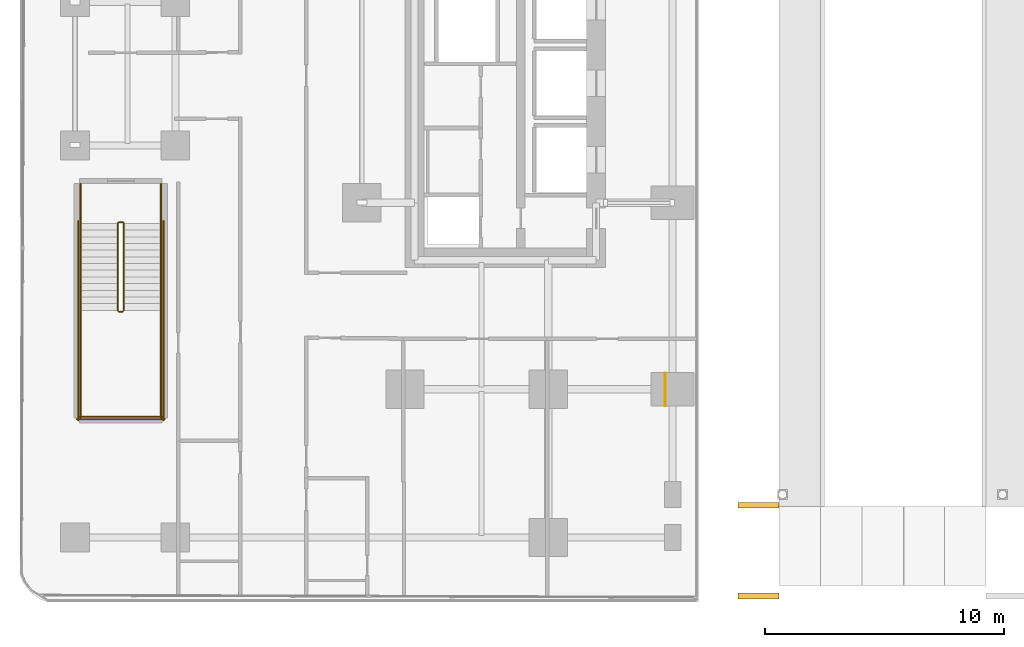
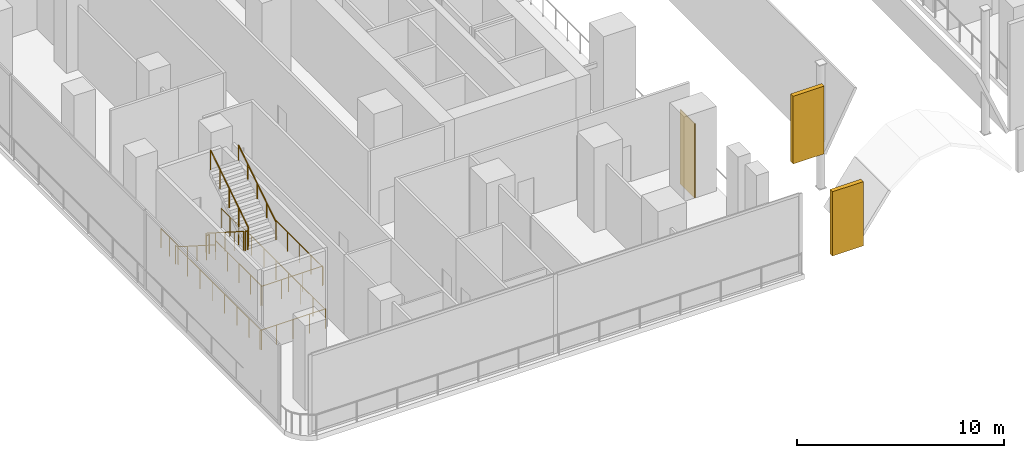
# One storey, part 21 of 31: 14 railings, 3 coverings.
"""IFC4 building model written with IfcOpenShell, lengths in metres."""

from ifc_helpers import new_model, si_unit, direction, frame, origin, origin_2d, place, context, subcontext, project, spatial, rectangle, circle, extrude, material, layer, layer_set, type_object, element, save


model = new_model("IFC4")

# Units and contexts
model_context = context("Model", 3, precision=1e-05, world=origin(), true_north=direction((0.0, 1.0)))
body_context = subcontext(model_context, "Body", "Model", "MODEL_VIEW")
ifc_project = project(units=[si_unit("LENGTHUNIT", "METRE"), si_unit("AREAUNIT", "SQUARE_METRE"), si_unit("VOLUMEUNIT", "CUBIC_METRE"), si_unit("PLANEANGLEUNIT", "RADIAN"), si_unit("MASSUNIT", "GRAM", prefix="KILO")], contexts=[model_context])

# Site, building, storey
site_placement = place(None, origin())
site = spatial("IfcSite", under=ifc_project, at=site_placement, CompositionType="ELEMENT")
building_placement = place(site_placement, origin())
building = spatial("IfcBuilding", under=site, at=building_placement, Name="Khairoan Windgate Tower", CompositionType="ELEMENT")
storey_placement = place(building_placement, frame((0.0, 0.0, 11.0)))
storey = spatial("IfcBuildingStorey", under=building, at=storey_placement, Name="L03", CompositionType="ELEMENT", Elevation=11.0)

# Coverings
ifc_material_1 = material(Name="Anodised Bronze Aluminium 6063-T6", Category="aluminium")
ifc_layer_1 = layer(ifc_material_1, 0.0400390625, Name="Anodised Bronze Aluminium 6063-T6")
ifc_layer_set_1 = layer_set([ifc_layer_1], Name="Anodised Bronze Aluminium 6063-T6")
covering_type_1 = type_object("IfcCoveringType", Name="Anodised Bronze Arch Pier Cladding", PredefinedType="CLADDING", material=ifc_layer_set_1)
covering_1_placement = place(storey_placement, frame((-9.5, -18.60009765625, 0.0), z_axis=(0.0, 0.0, 1.0), x_axis=(1.0, 0.0, 0.0)))
element("IfcCovering", 1, at=covering_1_placement, inside=storey, type_object=covering_type_1, Name="L03 Arch Pier Bronze Cladding 01", PredefinedType="CLADDING", context=body_context, shape_type="SweptSolid", body=[
    extrude(rectangle(XDim=0.0400390625, YDim=1.39990234375, at=origin_2d()), origin(), (0.0, 0.0, 1.0), 4.39990234375),
])
ifc_material_2 = material(Name="Anodised Bronze Aluminium 6063-T6", Category="aluminium")
ifc_layer_2 = layer(ifc_material_2, 0.179931640625, Name="Anodised Bronze Aluminium 6063-T6")
ifc_layer_set_2 = layer_set([ifc_layer_2], Name="Anodised Bronze Aluminium 6063-T6")
covering_type_2 = type_object("IfcCoveringType", Name="Sculpted Parabolic Arch and Crown Cladding", PredefinedType="CLADDING", material=ifc_layer_set_2)
covering_2_placement = place(storey_placement, frame((-5.60498046875, -23.449951171875, 3.53662109375), z_axis=(0.0, 0.0, 1.0), x_axis=(1.0, 0.0, 0.0)))
element("IfcCovering", 2, at=covering_2_placement, inside=storey, type_object=covering_type_2, Name="Upper Parabolic Arch Tympanum Cladding S-02", PredefinedType="CLADDING", context=body_context, shape_type="SweptSolid", body=[
    extrude(rectangle(XDim=1.72998046875, YDim=0.239990234375, at=origin_2d()), origin(), (0.0, 0.0, 1.0), 4.0029296875),
])
covering_3_placement = place(storey_placement, frame((-5.60498046875, -27.25, 0.406982421875), z_axis=(0.0, 0.0, 1.0), x_axis=(1.0, 0.0, 0.0)))
element("IfcCovering", 3, at=covering_3_placement, inside=storey, type_object=covering_type_2, Name="Podium Parabolic Arch Tympanum Cladding S-02", PredefinedType="CLADDING", context=body_context, shape_type="SweptSolid", body=[
    extrude(rectangle(XDim=1.72998046875, YDim=0.239990234375, at=origin_2d()), origin(), (0.0, 0.0, 1.0), 3.79296875),
])

# Railings
ifc_material_3 = material(Name="Anodised Bronze Aluminium 6063-T6", Category="aluminium")
railing_type_1 = type_object("IfcRailingType", Name="Stair Wall Handrail SHR-900", PredefinedType="HANDRAIL", material=ifc_material_3)
railing_1_placement = place(storey_placement, frame((-33.969970703125, -11.659912109375, 0.178466796875)))
element("IfcRailing", 4, at=railing_1_placement, inside=storey, type_object=railing_type_1, Name="L03 ST4 stair handrail 1", PredefinedType="HANDRAIL", context=body_context, shape_type="SweptSolid", body=[
    extrude(circle(Radius=0.02392578125, at=origin_2d()), frame((0.0, 0.0, 0.8759765625), z_axis=(0.0, -0.843127859045, 0.537713132908), x_axis=(1.0, 0.0, 0.0)), (0.0, 0.0, 1.0), 4.3173828125),
    extrude(circle(Radius=0.02099609375, at=origin_2d()), origin(), (0.0, 0.0, 1.0), 0.851806640625),
    extrude(circle(Radius=0.02099609375, at=origin_2d()), frame((0.0, -0.91015625, 0.580322265625)), (0.0, 0.0, 1.0), 0.851806640625),
    extrude(circle(Radius=0.02099609375, at=origin_2d()), frame((0.0, -1.820068359375, 1.16064453125)), (0.0, 0.0, 1.0), 0.851806640625),
    extrude(circle(Radius=0.02099609375, at=origin_2d()), frame((0.0, -2.72998046875, 1.7412109375)), (0.0, 0.0, 1.0), 0.851806640625),
    extrude(circle(Radius=0.02099609375, at=origin_2d()), frame((0.0, -3.64013671875, 2.321533203125)), (0.0, 0.0, 1.0), 0.851806640625),
])
railing_2_placement = place(storey_placement, frame((-30.60009765625, -15.300048828125, 2.678466796875)))
element("IfcRailing", 5, at=railing_2_placement, inside=storey, type_object=railing_type_1, Name="L03 ST4 stair handrail 2", PredefinedType="HANDRAIL", context=body_context, shape_type="SweptSolid", body=[
    extrude(circle(Radius=0.02392578125, at=origin_2d()), frame((0.0, 0.0, 0.8759765625), z_axis=(0.0, 0.843127859045, 0.537713132908), x_axis=(-1.0, 0.0, 0.0)), (0.0, 0.0, 1.0), 4.3173828125),
    extrude(circle(Radius=0.02099609375, at=origin_2d()), origin(), (0.0, 0.0, 1.0), 0.851806640625),
    extrude(circle(Radius=0.02099609375, at=origin_2d()), frame((0.0, 0.91015625, 0.580322265625)), (0.0, 0.0, 1.0), 0.851806640625),
    extrude(circle(Radius=0.02099609375, at=origin_2d()), frame((0.0, 1.820068359375, 1.16064453125)), (0.0, 0.0, 1.0), 0.851806640625),
    extrude(circle(Radius=0.02099609375, at=origin_2d()), frame((0.0, 2.72998046875, 1.7412109375)), (0.0, 0.0, 1.0), 0.851806640625),
    extrude(circle(Radius=0.02099609375, at=origin_2d()), frame((0.0, 3.64013671875, 2.321533203125)), (0.0, 0.0, 1.0), 0.851806640625),
])
ifc_material_4 = material(Name="Steel S355", Category="steel")
railing_type_2 = type_object("IfcRailingType", Name="Stairwell Safety Guardrail SGR-1150", PredefinedType="GUARDRAIL", material=ifc_material_4)
railing_3_placement = place(storey_placement, frame((-32.409912109375, -11.659912109375, 0.178466796875)))
element("IfcRailing", 6, at=railing_3_placement, inside=storey, type_object=railing_type_2, Name="L03 ST4 stair guard 1", PredefinedType="GUARDRAIL", context=body_context, shape_type="SweptSolid", body=[
    extrude(circle(Radius=0.02392578125, at=origin_2d()), frame((0.0, 0.0, 1.1259765625), z_axis=(0.0, -0.843127859045, 0.537713132908), x_axis=(1.0, 0.0, 0.0)), (0.0, 0.0, 1.0), 4.3173828125),
    extrude(circle(Radius=0.02099609375, at=origin_2d()), origin(), (0.0, 0.0, 1.0), 1.101806640625),
    extrude(circle(Radius=0.02099609375, at=origin_2d()), frame((0.0, -0.91015625, 0.580322265625)), (0.0, 0.0, 1.0), 1.101806640625),
    extrude(circle(Radius=0.02099609375, at=origin_2d()), frame((0.0, -1.820068359375, 1.16064453125)), (0.0, 0.0, 1.0), 1.101806640625),
    extrude(circle(Radius=0.02099609375, at=origin_2d()), frame((0.0, -2.72998046875, 1.7412109375)), (0.0, 0.0, 1.0), 1.101806640625),
    extrude(circle(Radius=0.02099609375, at=origin_2d()), frame((0.0, -3.64013671875, 2.321533203125)), (0.0, 0.0, 1.0), 1.101806640625),
])
railing_4_placement = place(storey_placement, frame((-32.360107421875, -15.35009765625, 2.5)))
element("IfcRailing", 7, at=railing_4_placement, inside=storey, type_object=railing_type_2, Name="L03 ST4 stair guard 2", PredefinedType="GUARDRAIL", context=body_context, shape_type="SweptSolid", body=[
    extrude(circle(Radius=0.02392578125, at=origin_2d()), frame((0.0, 0.0, 1.1259765625), z_axis=(1.0, 0.0, 0.0), x_axis=(0.0, 1.0, 0.0)), (0.0, 0.0, 1.0), 0.150146484375),
    extrude(circle(Radius=0.02099609375, at=origin_2d()), origin(), (0.0, 0.0, 1.0), 1.101806640625),
    extrude(circle(Radius=0.02099609375, at=origin_2d()), frame((0.150146484375, 0.0, 0.0)), (0.0, 0.0, 1.0), 1.101806640625),
])
for number, where, name in (
    (8, (-33.969970703125, -15.300048828125, 2.5), "L03 ST4 stair guard 3"),
    (9, (-30.60009765625, -15.300048828125, 2.5), "L03 ST4 stair guard 4"),
):
    element("IfcRailing", number, at=place(storey_placement, frame(where)), inside=storey, type_object=railing_type_2, Name=name, PredefinedType="GUARDRAIL", context=body_context, shape_type="SweptSolid", body=[
        extrude(circle(Radius=0.02392578125, at=origin_2d()), frame((0.0, 0.0, 1.1259765625), z_axis=(0.0, -1.0, 0.0), x_axis=(1.0, 0.0, 0.0)), (0.0, 0.0, 1.0), 4.5),
        extrude(circle(Radius=0.02099609375, at=origin_2d()), origin(), (0.0, 0.0, 1.0), 1.101806640625),
        extrude(circle(Radius=0.02099609375, at=origin_2d()), frame((0.0, -1.125, 0.0)), (0.0, 0.0, 1.0), 1.101806640625),
        extrude(circle(Radius=0.02099609375, at=origin_2d()), frame((0.0, -2.25, 0.0)), (0.0, 0.0, 1.0), 1.101806640625),
        extrude(circle(Radius=0.02099609375, at=origin_2d()), frame((0.0, -3.375, 0.0)), (0.0, 0.0, 1.0), 1.101806640625),
        extrude(circle(Radius=0.02099609375, at=origin_2d()), frame((0.0, -4.5, 0.0)), (0.0, 0.0, 1.0), 1.101806640625),
    ])
railing_5_placement = place(storey_placement, frame((-34.02001953125, -19.75, 2.5)))
element("IfcRailing", 10, at=railing_5_placement, inside=storey, type_object=railing_type_2, Name="L03 ST4 stair guard 5", PredefinedType="GUARDRAIL", context=body_context, shape_type="SweptSolid", body=[
    extrude(circle(Radius=0.02392578125, at=origin_2d()), frame((0.0, 0.0, 1.1259765625), z_axis=(1.0, 0.0, 0.0), x_axis=(0.0, 1.0, 0.0)), (0.0, 0.0, 1.0), 3.469970703125),
    extrude(circle(Radius=0.02099609375, at=origin_2d()), origin(), (0.0, 0.0, 1.0), 1.101806640625),
    extrude(circle(Radius=0.02099609375, at=origin_2d()), frame((1.15673828125, 0.0, 0.0)), (0.0, 0.0, 1.0), 1.101806640625),
    extrude(circle(Radius=0.02099609375, at=origin_2d()), frame((2.313232421875, 0.0, 0.0)), (0.0, 0.0, 1.0), 1.101806640625),
    extrude(circle(Radius=0.02099609375, at=origin_2d()), frame((3.469970703125, 0.0, 0.0)), (0.0, 0.0, 1.0), 1.101806640625),
])
railing_6_placement = place(storey_placement, frame((-32.159912109375, -15.300048828125, 2.678466796875)))
element("IfcRailing", 11, at=railing_6_placement, inside=storey, type_object=railing_type_2, Name="L03 ST4 stair guard 6", PredefinedType="GUARDRAIL", context=body_context, shape_type="SweptSolid", body=[
    extrude(circle(Radius=0.02392578125, at=origin_2d()), frame((0.0, 0.0, 1.1259765625), z_axis=(0.0, 0.843127859045, 0.537713132908), x_axis=(-1.0, 0.0, 0.0)), (0.0, 0.0, 1.0), 4.3173828125),
    extrude(circle(Radius=0.02099609375, at=origin_2d()), origin(), (0.0, 0.0, 1.0), 1.101806640625),
    extrude(circle(Radius=0.02099609375, at=origin_2d()), frame((0.0, 0.91015625, 0.580322265625)), (0.0, 0.0, 1.0), 1.101806640625),
    extrude(circle(Radius=0.02099609375, at=origin_2d()), frame((0.0, 1.820068359375, 1.16064453125)), (0.0, 0.0, 1.0), 1.101806640625),
    extrude(circle(Radius=0.02099609375, at=origin_2d()), frame((0.0, 2.72998046875, 1.7412109375)), (0.0, 0.0, 1.0), 1.101806640625),
    extrude(circle(Radius=0.02099609375, at=origin_2d()), frame((0.0, 3.64013671875, 2.321533203125)), (0.0, 0.0, 1.0), 1.101806640625),
])
railing_7_placement = place(storey_placement, frame((-32.360107421875, -11.610107421875, 0.0)))
element("IfcRailing", 12, at=railing_7_placement, inside=storey, type_object=railing_type_2, Name="L03 ST4 stair guard 7", PredefinedType="GUARDRAIL", context=body_context, shape_type="SweptSolid", body=[
    extrude(circle(Radius=0.02392578125, at=origin_2d()), frame((0.0, 0.0, 1.1259765625), z_axis=(1.0, 0.0, 0.0), x_axis=(0.0, 1.0, 0.0)), (0.0, 0.0, 1.0), 0.150146484375),
    extrude(circle(Radius=0.02099609375, at=origin_2d()), origin(), (0.0, 0.0, 1.0), 1.101806640625),
    extrude(circle(Radius=0.02099609375, at=origin_2d()), frame((0.150146484375, 0.0, 0.0)), (0.0, 0.0, 1.0), 1.101806640625),
])
for number, where, name in (
    (13, (-33.969970703125, -10.0, 0.0), "L03 ST4 stair guard 8"),
    (14, (-30.60009765625, -10.0, 0.0), "L03 ST4 stair guard 9"),
):
    element("IfcRailing", number, at=place(storey_placement, frame(where)), inside=storey, type_object=railing_type_2, Name=name, PredefinedType="GUARDRAIL", context=body_context, shape_type="SweptSolid", body=[
        extrude(circle(Radius=0.02392578125, at=origin_2d()), frame((0.0, 0.0, 1.1259765625), z_axis=(0.0, -1.0, 0.0), x_axis=(1.0, 0.0, 0.0)), (0.0, 0.0, 1.0), 1.659912109375),
        extrude(circle(Radius=0.02099609375, at=origin_2d()), origin(), (0.0, 0.0, 1.0), 1.101806640625),
        extrude(circle(Radius=0.02099609375, at=origin_2d()), frame((0.0, -0.830078125, 0.0)), (0.0, 0.0, 1.0), 1.101806640625),
        extrude(circle(Radius=0.02099609375, at=origin_2d()), frame((0.0, -1.659912109375, 0.0)), (0.0, 0.0, 1.0), 1.101806640625),
    ])
for number, where, name in (
    (15, (-34.070068359375, -11.56005859375, 0.0), "L03 ST4 stair guard 10"),
    (16, (-30.5, -11.56005859375, 0.0), "L03 ST4 stair guard 11"),
):
    element("IfcRailing", number, at=place(storey_placement, frame(where)), inside=storey, type_object=railing_type_2, Name=name, PredefinedType="GUARDRAIL", context=body_context, shape_type="SweptSolid", body=[
        extrude(circle(Radius=0.02392578125, at=origin_2d()), frame((0.0, 0.0, 1.1259765625), z_axis=(0.0, -1.0, 0.0), x_axis=(1.0, 0.0, 0.0)), (0.0, 0.0, 1.0), 8.33984375),
        extrude(circle(Radius=0.02099609375, at=origin_2d()), origin(), (0.0, 0.0, 1.0), 1.101806640625),
        extrude(circle(Radius=0.02099609375, at=origin_2d()), frame((0.0, -1.19140625, 0.0)), (0.0, 0.0, 1.0), 1.101806640625),
        extrude(circle(Radius=0.02099609375, at=origin_2d()), frame((0.0, -2.3828125, 0.0)), (0.0, 0.0, 1.0), 1.101806640625),
        extrude(circle(Radius=0.02099609375, at=origin_2d()), frame((0.0, -3.57421875, 0.0)), (0.0, 0.0, 1.0), 1.101806640625),
        extrude(circle(Radius=0.02099609375, at=origin_2d()), frame((0.0, -4.765625, 0.0)), (0.0, 0.0, 1.0), 1.101806640625),
        extrude(circle(Radius=0.02099609375, at=origin_2d()), frame((0.0, -5.95703125, 0.0)), (0.0, 0.0, 1.0), 1.101806640625),
        extrude(circle(Radius=0.02099609375, at=origin_2d()), frame((0.0, -7.1484375, 0.0)), (0.0, 0.0, 1.0), 1.101806640625),
        extrude(circle(Radius=0.02099609375, at=origin_2d()), frame((0.0, -8.33984375, 0.0)), (0.0, 0.0, 1.0), 1.101806640625),
    ])
railing_8_placement = place(storey_placement, frame((-34.1201171875, -19.85009765625, 0.0)))
element("IfcRailing", 17, at=railing_8_placement, inside=storey, type_object=railing_type_2, Name="L03 ST4 stair guard 12", PredefinedType="GUARDRAIL", context=body_context, shape_type="SweptSolid", body=[
    extrude(circle(Radius=0.02392578125, at=origin_2d()), frame((0.0, 0.0, 1.1259765625), z_axis=(1.0, 0.0, 0.0), x_axis=(0.0, 1.0, 0.0)), (0.0, 0.0, 1.0), 3.670166015625),
    extrude(circle(Radius=0.02099609375, at=origin_2d()), origin(), (0.0, 0.0, 1.0), 1.101806640625),
    extrude(circle(Radius=0.02099609375, at=origin_2d()), frame((0.91748046875, 0.0, 0.0)), (0.0, 0.0, 1.0), 1.101806640625),
    extrude(circle(Radius=0.02099609375, at=origin_2d()), frame((1.8349609375, 0.0, 0.0)), (0.0, 0.0, 1.0), 1.101806640625),
    extrude(circle(Radius=0.02099609375, at=origin_2d()), frame((2.752685546875, 0.0, 0.0)), (0.0, 0.0, 1.0), 1.101806640625),
    extrude(circle(Radius=0.02099609375, at=origin_2d()), frame((3.670166015625, 0.0, 0.0)), (0.0, 0.0, 1.0), 1.101806640625),
])

save(model, "model.ifc")
